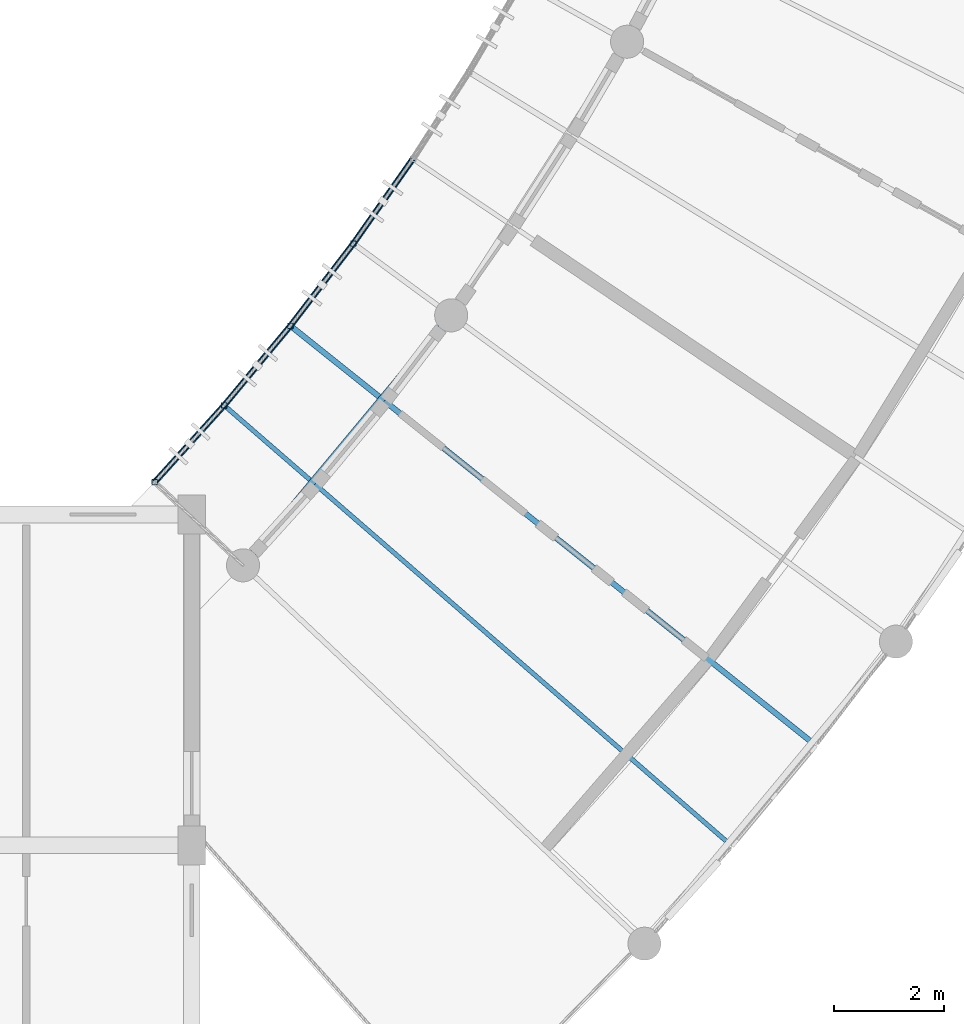
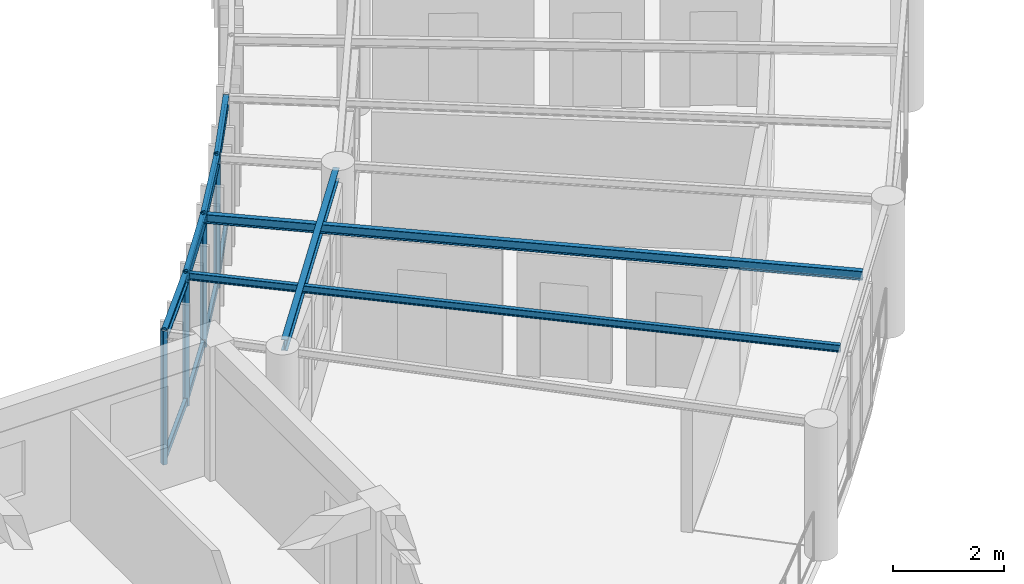
# One storey, part 12 of 101: 12 members, 7 beams.
"""IFC4 building model written with IfcOpenShell, lengths in metres."""

from ifc_helpers import new_model, si_unit, direction, frame, origin, origin_2d, place, context, subcontext, project, spatial, hollow_rectangle, i_section, extrude, material, material_profile, profile_set, type_object, element, save


model = new_model("IFC4")

# Units and contexts
model_context = context("Model", 3, precision=1e-05, world=origin(), true_north=direction((0.0, 1.0)))
body_context = subcontext(model_context, "Body", "Model", "MODEL_VIEW")
ifc_project = project(units=[si_unit("LENGTHUNIT", "METRE"), si_unit("AREAUNIT", "SQUARE_METRE"), si_unit("VOLUMEUNIT", "CUBIC_METRE"), si_unit("PLANEANGLEUNIT", "RADIAN"), si_unit("MASSUNIT", "GRAM", prefix="KILO"), si_unit("POWERUNIT", "WATT"), si_unit("THERMODYNAMICTEMPERATUREUNIT", "KELVIN")], contexts=[model_context])

# Site, building, storey
site_placement = place(None, origin())
site = spatial("IfcSite", under=ifc_project, at=site_placement, CompositionType="ELEMENT")
building_placement = place(site_placement, origin())
building = spatial("IfcBuilding", under=site, at=building_placement, Name="Ruvembo Vaulted Housing Court", CompositionType="ELEMENT")
storey_placement = place(building_placement, frame((0.0, 0.0, 17.300048828125)))
storey = spatial("IfcBuildingStorey", under=building, at=storey_placement, Name="L05", CompositionType="ELEMENT", Elevation=17.300048828125)

# Beams
ifc_material = material(Name="Steel S355J2", Category="steel")
ifc_material_profile_1 = material_profile(ifc_material, i_section(OverallWidth=0.08203125, OverallDepth=0.159912109375, WebThickness=0.0048828125, FlangeThickness=0.00732421875, FilletRadius=0.009033203125, at=origin_2d()), Name="IPE 160")
ifc_profile_set_1 = profile_set([ifc_material_profile_1], Name="Steel S355J2")
beam_type_1 = type_object("IfcBeamType", Name="BM-ST-IPE160", PredefinedType="JOIST", material=ifc_profile_set_1)
beam_1_placement = place(storey_placement, frame((45.690673828125, 36.078369140625, 2.85205078125), z_axis=(-0.75520458687, 0.655489154732, 0.0), x_axis=(-0.655489154732, -0.75520458687, 0.0)))
element("IfcBeam", 1, at=beam_1_placement, inside=storey, type_object=beam_type_1, Name="Scoop SC1 L05 Radial Steel Joist 1", PredefinedType="JOIST", context=body_context, shape_type="SweptSolid", body=[
    extrude(i_section(OverallWidth=0.08203125, OverallDepth=0.159912109375, WebThickness=0.0048828125, FlangeThickness=0.00732421875, FilletRadius=0.009033203125, at=origin_2d()), origin(), (0.0, 0.0, 1.0), 12.092529296875),
])
ifc_material_profile_2 = material_profile(ifc_material, i_section(OverallWidth=0.10009765625, OverallDepth=0.199951171875, WebThickness=0.005615234375, FlangeThickness=0.008544921875, FilletRadius=0.011962890625, at=origin_2d()), Name="IPE 200")
ifc_profile_set_2 = profile_set([ifc_material_profile_2], Name="Steel S355J2")
beam_type_2 = type_object("IfcBeamType", Name="BM-ST-IPE200", PredefinedType="BEAM", material=ifc_profile_set_2)
beam_2_placement = place(storey_placement, frame((47.20751953125, 37.900146484375, 2.83203125), z_axis=(-0.781429857341, 0.623993091353, 0.0), x_axis=(-0.623993091353, -0.781429857341, 0.0)))
element("IfcBeam", 2, at=beam_2_placement, inside=storey, type_object=beam_type_2, Name="Scoop SC1 L05 Radial Steel Joist 2", PredefinedType="BEAM", context=body_context, shape_type="SweptSolid", body=[
    extrude(i_section(OverallWidth=0.10009765625, OverallDepth=0.199951171875, WebThickness=0.005615234375, FlangeThickness=0.008544921875, FilletRadius=0.011962890625, at=origin_2d()), origin(), (0.0, 0.0, 1.0), 12.092529296875),
])
ifc_material_profile_3 = material_profile(ifc_material, i_section(OverallWidth=0.110107421875, OverallDepth=0.219970703125, WebThickness=0.005859375, FlangeThickness=0.00927734375, FilletRadius=0.011962890625, at=origin_2d()), Name="IPE 220")
ifc_profile_set_3 = profile_set([ifc_material_profile_3], Name="Steel S355J2")
beam_type_3 = type_object("IfcBeamType", Name="BM-ST-IPE220", PredefinedType="SPANDREL", material=ifc_profile_set_3)
for number, where, z_axis, x_axis, name in (
    (3, (35.32958984375, 42.5869140625, 2.822021484375), (0.670766832997, 0.741668292265, 0.0), (-0.741668292265, 0.670766832997, 0.0), "Scoop SC1 L05 Balcony Edge Spandrel 0"),
    (4, (36.58837890625, 43.978759765625, 2.822021484375), (0.639915648776, 0.76844515904, 0.0), (-0.76844515904, 0.639915648776, 0.0), "Scoop SC1 L05 Balcony Edge Spandrel 1"),
):
    element("IfcBeam", number, at=place(storey_placement, frame(where, z_axis=z_axis, x_axis=x_axis)), inside=storey, type_object=beam_type_3, Name=name, PredefinedType="SPANDREL", context=body_context, shape_type="SweptSolid", body=[
        extrude(i_section(OverallWidth=0.110107421875, OverallDepth=0.219970703125, WebThickness=0.005859375, FlangeThickness=0.00927734375, FilletRadius=0.011962890625, at=origin_2d()), origin(), (0.0, 0.0, 1.0), 1.876708984375),
    ])
beam_3_placement = place(storey_placement, frame((37.789306640625, 45.4208984375, 2.822021484375), z_axis=(0.607860517304, 0.794043822155, 0.0), x_axis=(-0.794043822155, 0.607860517304, 0.0)))
element("IfcBeam", 5, at=beam_3_placement, inside=storey, type_object=beam_type_3, Name="Scoop SC1 L05 Balcony Edge Spandrel 2", PredefinedType="SPANDREL", context=body_context, shape_type="SweptSolid", body=[
    extrude(i_section(OverallWidth=0.110107421875, OverallDepth=0.219970703125, WebThickness=0.005859375, FlangeThickness=0.00927734375, FilletRadius=0.011962890625, at=origin_2d()), origin(), (0.0, 0.0, 1.0), 1.87646484375),
])
beam_4_placement = place(storey_placement, frame((38.929931640625, 46.910888671875, 2.822021484375), z_axis=(0.574858427718, 0.81825288761, 0.0), x_axis=(-0.81825288761, 0.574858427718, 0.0)))
element("IfcBeam", 6, at=beam_4_placement, inside=storey, type_object=beam_type_3, Name="Scoop SC1 L05 Balcony Edge Spandrel 3", PredefinedType="SPANDREL", context=body_context, shape_type="SweptSolid", body=[
    extrude(i_section(OverallWidth=0.110107421875, OverallDepth=0.219970703125, WebThickness=0.005859375, FlangeThickness=0.00927734375, FilletRadius=0.011962890625, at=origin_2d()), origin(), (0.0, 0.0, 1.0), 1.876708984375),
])
ifc_material_profile_4 = material_profile(ifc_material, i_section(OverallWidth=0.1201171875, OverallDepth=0.239990234375, WebThickness=0.006103515625, FlangeThickness=0.009765625, FilletRadius=0.014892578125, at=origin_2d()), Name="IPE 240")
ifc_profile_set_4 = profile_set([ifc_material_profile_4], Name="Steel S355J2")
beam_type_4 = type_object("IfcBeamType", Name="BM-ST-IPE240", PredefinedType="BEAM", material=ifc_profile_set_4)
beam_5_placement = place(storey_placement, frame((37.05224609375, 41.22412109375, 2.81396484375), z_axis=(0.639879665438, 0.768475122407, 0.0), x_axis=(-0.768475122407, 0.639879665438, 0.0)))
element("IfcBeam", 7, at=beam_5_placement, inside=storey, type_object=beam_type_4, Name="Scoop SC1 L05 Chord Girder F0", PredefinedType="BEAM", context=body_context, shape_type="SweptSolid", body=[
    extrude(i_section(OverallWidth=0.1201171875, OverallDepth=0.239990234375, WebThickness=0.006103515625, FlangeThickness=0.009765625, FilletRadius=0.014892578125, at=origin_2d()), origin(), (0.0, 0.0, 1.0), 5.51708984375),
])

# Members
ifc_material_profile_5 = material_profile(ifc_material, hollow_rectangle(XDim=0.06005859375, YDim=0.1201171875, WallThickness=0.0048828125, InnerFilletRadius=0.0048828125, OuterFilletRadius=0.010009765625, at=origin_2d()), Name="RHS 120x60x5")
ifc_profile_set_5 = profile_set([ifc_material_profile_5], Name="Steel S355J2")
member_type_1 = type_object("IfcMemberType", Name="MEM-CAR-RHS120", PredefinedType="CHORD", material=ifc_profile_set_5)
for number, where, z_axis, x_axis, name in (
    (8, (35.32958984375, 42.5869140625, 2.655029296875), (0.670766832997, 0.741668292265, 0.0), (-0.741668292265, 0.670766832997, 0.0), "Scoop SC1 L05 Upper Louvre Carrier Rail 0"),
    (9, (36.58837890625, 43.978759765625, 2.655029296875), (0.639915648776, 0.76844515904, 0.0), (-0.76844515904, 0.639915648776, 0.0), "Scoop SC1 L05 Upper Louvre Carrier Rail 1"),
):
    element("IfcMember", number, at=place(storey_placement, frame(where, z_axis=z_axis, x_axis=x_axis)), inside=storey, type_object=member_type_1, Name=name, PredefinedType="CHORD", context=body_context, shape_type="SweptSolid", body=[
        extrude(hollow_rectangle(XDim=0.06005859375, YDim=0.1201171875, WallThickness=0.0048828125, InnerFilletRadius=0.0048828125, OuterFilletRadius=0.010009765625, at=origin_2d()), origin(), (0.0, 0.0, 1.0), 1.876708984375),
    ])
member_1_placement = place(storey_placement, frame((37.789306640625, 45.4208984375, 2.655029296875), z_axis=(0.607860517304, 0.794043822155, 0.0), x_axis=(-0.794043822155, 0.607860517304, 0.0)))
element("IfcMember", 10, at=member_1_placement, inside=storey, type_object=member_type_1, Name="Scoop SC1 L05 Upper Louvre Carrier Rail 2", PredefinedType="CHORD", context=body_context, shape_type="SweptSolid", body=[
    extrude(hollow_rectangle(XDim=0.06005859375, YDim=0.1201171875, WallThickness=0.0048828125, InnerFilletRadius=0.0048828125, OuterFilletRadius=0.010009765625, at=origin_2d()), origin(), (0.0, 0.0, 1.0), 1.87646484375),
])
member_2_placement = place(storey_placement, frame((38.929931640625, 46.910888671875, 2.655029296875), z_axis=(0.574858427718, 0.81825288761, 0.0), x_axis=(-0.81825288761, 0.574858427718, 0.0)))
element("IfcMember", 11, at=member_2_placement, inside=storey, type_object=member_type_1, Name="Scoop SC1 L05 Upper Louvre Carrier Rail 3", PredefinedType="CHORD", context=body_context, shape_type="SweptSolid", body=[
    extrude(hollow_rectangle(XDim=0.06005859375, YDim=0.1201171875, WallThickness=0.0048828125, InnerFilletRadius=0.0048828125, OuterFilletRadius=0.010009765625, at=origin_2d()), origin(), (0.0, 0.0, 1.0), 1.876708984375),
])
ifc_material_profile_6 = material_profile(ifc_material, hollow_rectangle(XDim=0.080078125, YDim=0.14990234375, WallThickness=0.00634765625, InnerFilletRadius=0.00634765625, OuterFilletRadius=0.0126953125, at=origin_2d()), Name="RHS 150x80x6.3")
ifc_profile_set_6 = profile_set([ifc_material_profile_6], Name="Steel S355J2")
member_type_2 = type_object("IfcMemberType", Name="MEM-CAR-RHS150", PredefinedType="CHORD", material=ifc_profile_set_6)
for number, where, z_axis, x_axis, name in (
    (12, (35.32958984375, 42.5869140625, 0.094970703125), (0.670766832997, 0.741668292265, 0.0), (-0.741668292265, 0.670766832997, 0.0), "Scoop SC1 L05 Lower Louvre Carrier Rail 0"),
    (13, (36.58837890625, 43.978759765625, 0.094970703125), (0.639915648776, 0.76844515904, 0.0), (-0.76844515904, 0.639915648776, 0.0), "Scoop SC1 L05 Lower Louvre Carrier Rail 1"),
):
    element("IfcMember", number, at=place(storey_placement, frame(where, z_axis=z_axis, x_axis=x_axis)), inside=storey, type_object=member_type_2, Name=name, PredefinedType="CHORD", context=body_context, shape_type="SweptSolid", body=[
        extrude(hollow_rectangle(XDim=0.080078125, YDim=0.14990234375, WallThickness=0.00634765625, InnerFilletRadius=0.00634765625, OuterFilletRadius=0.0126953125, at=origin_2d()), origin(), (0.0, 0.0, 1.0), 1.876708984375),
    ])
member_3_placement = place(storey_placement, frame((37.789306640625, 45.4208984375, 0.094970703125), z_axis=(0.607860517304, 0.794043822155, 0.0), x_axis=(-0.794043822155, 0.607860517304, 0.0)))
element("IfcMember", 14, at=member_3_placement, inside=storey, type_object=member_type_2, Name="Scoop SC1 L05 Lower Louvre Carrier Rail 2", PredefinedType="CHORD", context=body_context, shape_type="SweptSolid", body=[
    extrude(hollow_rectangle(XDim=0.080078125, YDim=0.14990234375, WallThickness=0.00634765625, InnerFilletRadius=0.00634765625, OuterFilletRadius=0.0126953125, at=origin_2d()), origin(), (0.0, 0.0, 1.0), 1.87646484375),
])
member_4_placement = place(storey_placement, frame((38.929931640625, 46.910888671875, 0.094970703125), z_axis=(0.574858427718, 0.81825288761, 0.0), x_axis=(-0.81825288761, 0.574858427718, 0.0)))
element("IfcMember", 15, at=member_4_placement, inside=storey, type_object=member_type_2, Name="Scoop SC1 L05 Lower Louvre Carrier Rail 3", PredefinedType="CHORD", context=body_context, shape_type="SweptSolid", body=[
    extrude(hollow_rectangle(XDim=0.080078125, YDim=0.14990234375, WallThickness=0.00634765625, InnerFilletRadius=0.00634765625, OuterFilletRadius=0.0126953125, at=origin_2d()), origin(), (0.0, 0.0, 1.0), 1.876708984375),
])
ifc_material_profile_7 = material_profile(ifc_material, hollow_rectangle(XDim=0.10009765625, YDim=0.10009765625, WallThickness=0.00634765625, InnerFilletRadius=0.00634765625, OuterFilletRadius=0.0126953125, at=origin_2d()), Name="SHS 100x100x6.3")
ifc_profile_set_7 = profile_set([ifc_material_profile_7], Name="Steel S355J2")
member_type_3 = type_object("IfcMemberType", Name="MEM-FRM-SHS100", PredefinedType="STRUT", material=ifc_profile_set_7)
for number, where, z_axis, x_axis, name in (
    (16, (35.32958984375, 42.5869140625, -0.01513671875), (0.0, 0.0, 1.0), (1.0, 0.0, 0.0), "Scoop SC1 L05 Louvre Frame Post 0"),
    (17, (36.58837890625, 43.978759765625, -0.01513671875), (0.0, 0.0, 1.0), (1.0, 0.0, 0.0), "Scoop SC1 L05 Louvre Frame Post 1"),
    (18, (37.789306640625, 45.4208984375, -0.01513671875), (0.0, 0.0, 1.0), (1.0, 0.0, 0.0), "Scoop SC1 L05 Louvre Frame Post 2"),
    (19, (38.929931640625, 46.910888671875, -0.01513671875), (0.0, 0.0, 1.0), (1.0, 0.0, 0.0), "Scoop SC1 L05 Louvre Frame Post 3"),
):
    element("IfcMember", number, at=place(storey_placement, frame(where, z_axis=z_axis, x_axis=x_axis)), inside=storey, type_object=member_type_3, Name=name, PredefinedType="STRUT", context=body_context, shape_type="SweptSolid", body=[
        extrude(hollow_rectangle(XDim=0.10009765625, YDim=0.10009765625, WallThickness=0.00634765625, InnerFilletRadius=0.00634765625, OuterFilletRadius=0.0126953125, at=origin_2d()), origin(), (0.0, 0.0, 1.0), 2.953125),
    ])

save(model, "model.ifc")
